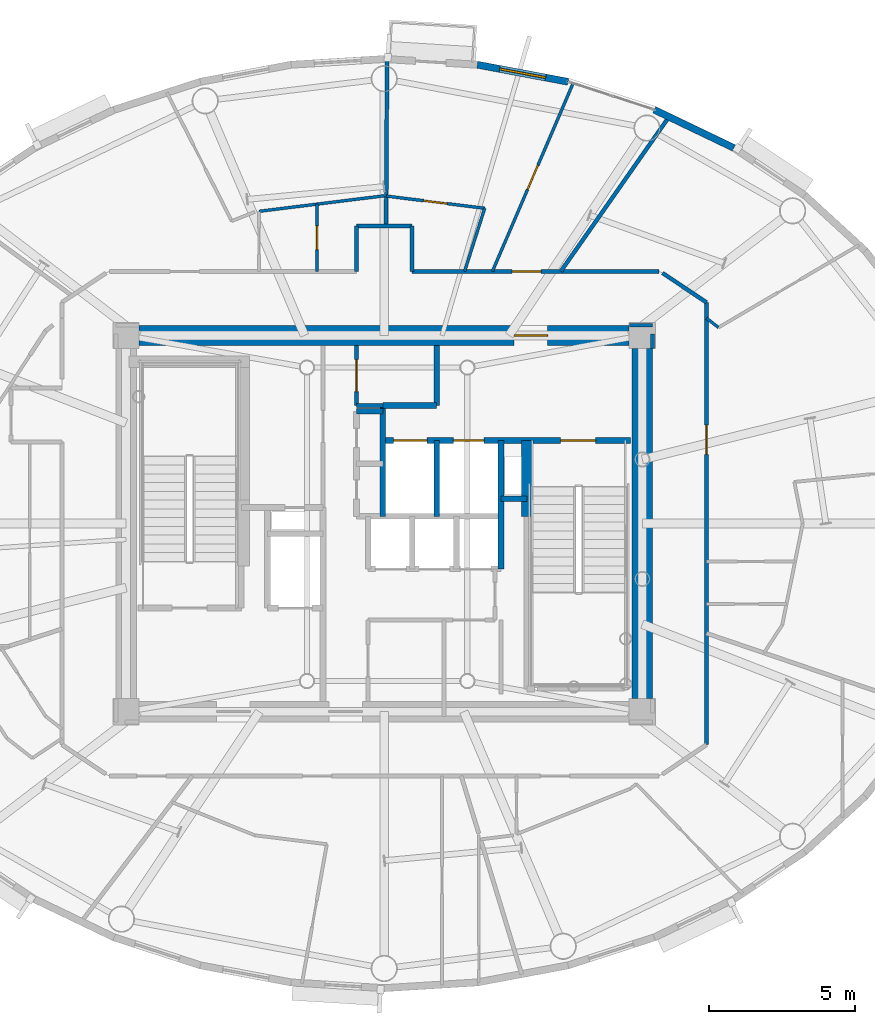
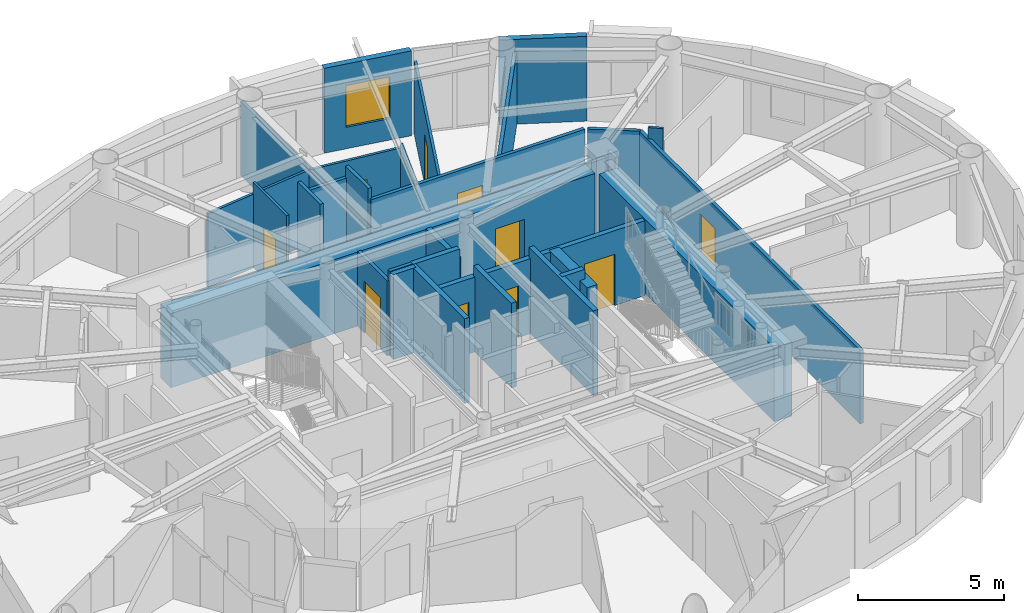
# One storey, part 9 of 17: 31 walls, 10 doors, 1 window, 11 openings.
"""IFC4 building model written with IfcOpenShell, lengths in metres."""

from ifc_helpers import new_model, si_unit, direction, frame, frame_2d, origin, origin_2d, place, context, subcontext, project, spatial, rectangle, extrude, source, transform, mapped, material, layer, layer_set, type_object, element, fill, save


model = new_model("IFC4")

# Units and contexts
model_context = context("Model", 3, precision=1e-05, world=origin(), true_north=direction((0.0, 1.0)))
body_context = subcontext(model_context, "Body", "Model", "MODEL_VIEW")
ifc_project = project(units=[si_unit("LENGTHUNIT", "METRE"), si_unit("AREAUNIT", "SQUARE_METRE"), si_unit("VOLUMEUNIT", "CUBIC_METRE"), si_unit("PLANEANGLEUNIT", "RADIAN"), si_unit("MASSUNIT", "GRAM", prefix="KILO")], contexts=[model_context])

# Site, building, storey
site_placement = place(None, origin())
site = spatial("IfcSite", under=ifc_project, at=site_placement, CompositionType="ELEMENT")
building_placement = place(site_placement, origin())
building = spatial("IfcBuilding", under=site, at=building_placement, Name="Linh Dai School and Residence Tower", CompositionType="ELEMENT")
storey_placement = place(building_placement, frame((0.0, 0.0, 331.60009765625)))
storey = spatial("IfcBuildingStorey", under=building, at=storey_placement, Name="L82", CompositionType="ELEMENT", Elevation=331.60009765625)

# Wall
ifc_material_1 = material(Name="Precast Concrete B45 (C35/45)", Category="concrete")
ifc_layer_1 = layer(ifc_material_1, 0.239990234375)
ifc_layer_set_1 = layer_set([ifc_layer_1], Name="Precast Concrete B45 (C35/45)")
wall_type_1 = type_object("IfcWallType", Name="EW-TC-240", PredefinedType="SOLIDWALL", material=ifc_layer_set_1)
wall_1_placement = place(storey_placement, frame((45.260498046875, 41.18896484375, 0.0), z_axis=(0.0, 0.0, 1.0), x_axis=(0.901557057889, -0.432660226241, 0.0)))
element("IfcWall", 1, at=wall_1_placement, inside=storey, type_object=wall_type_1, Name="L82 Terracotta Exterior Wall 07", PredefinedType="SOLIDWALL", context=body_context, shape_type="SweptSolid", body=[
    extrude(rectangle(XDim=3.025146484375, YDim=0.239990234375, at=frame_2d((1.5126953125, 0.0))), origin(), (0.0, 0.0, 1.0), 3.5498046875),
])

# Wall, opening, window
wall_2_placement = place(storey_placement, frame((39.19140625, 42.7333984375, 0.0), z_axis=(0.0, 0.0, 1.0), x_axis=(0.98276643264, -0.184851667226, 0.0)))
wall_2 = element("IfcWall", 2, at=wall_2_placement, inside=storey, type_object=wall_type_1, Name="L82 Terracotta Exterior Wall 09", PredefinedType="SOLIDWALL", context=body_context, shape_type="SweptSolid", body=[
    extrude(rectangle(XDim=3.167236328125, YDim=0.239990234375, at=frame_2d((1.58349609375, 0.0))), origin(), (0.0, 0.0, 1.0), 3.5498046875),
])
opening_1_placement = place(wall_2_placement, frame((0.783447265625, 0.0, 0.89990234375)))
opening_1 = element("IfcOpeningElement", 3, at=opening_1_placement, cuts=wall_2, Name="Opening W2", PredefinedType="OPENING", context=body_context, shape_type="SweptSolid", body=[
    extrude(rectangle(XDim=1.60009765625, YDim=1.75, at=origin_2d()), frame((0.800048828125, 0.1298828125, 0.875), z_axis=(0.0, -1.0, 0.0), x_axis=(1.0, 0.0, 0.0)), (0.0, 0.0, 1.0), 0.260009765625),
])
ifc_material_2 = material(Name="Double Low-E Insulated Glazing", Category="glass")
window_type = type_object("IfcWindowType", Name="WN-RES-1600x1750", PartitioningType="DOUBLE_PANEL_VERTICAL", PredefinedType="WINDOW", material=ifc_material_2)
shared_shape_1 = source(origin(), body_context, "Body", "SweptSolid", [
    extrude(rectangle(XDim=1.60009765625, YDim=1.75, at=origin_2d()), frame((0.800048828125, 0.030029296875, 0.875), z_axis=(0.0, -1.0, 0.0), x_axis=(1.0, 0.0, 0.0)), (0.0, 0.0, 1.0), 0.06005859375),
])
window_placement = place(opening_1_placement, origin())
window = element("IfcWindow", 4, at=window_placement, inside=storey, type_object=window_type, Name="L82 Exterior Window 09.1", OverallHeight=1.75, OverallWidth=1.60009765625, PartitioningType="DOUBLE_PANEL_VERTICAL", PredefinedType="WINDOW", context=body_context, shape_type="MappedRepresentation", body=[
    mapped(shared_shape_1, transform((0.0, 0.0, 0.0), x_axis=(1.0, 0.0, 0.0), y_axis=(0.0, 1.0, 0.0), z_axis=(0.0, 0.0, 1.0), scale=1.0)),
])
fill(opening_1, window)

# Wall, opening, door
ifc_material_3 = material(Name="Autoclaved Aerated Concrete Blockwork", Category="masonry")
ifc_layer_2 = layer(ifc_material_3, 0.135009765625)
ifc_layer_set_2 = layer_set([ifc_layer_2], Name="Autoclaved Aerated Concrete Blockwork")
wall_type_2 = type_object("IfcWallType", Name="IW-CORR-135-EI90", PredefinedType="PARTITIONING", material=ifc_layer_set_2)
wall_3_placement = place(storey_placement, frame((35.050048828125, 31.050048828125, 0.0), z_axis=(0.0, 0.0, 1.0), x_axis=(0.0, 1.0, 0.0)))
wall_3 = element("IfcWall", 5, at=wall_3_placement, inside=storey, type_object=wall_type_2, Name="L82 Interior Partition Wall 043", PredefinedType="PARTITIONING", context=body_context, shape_type="SweptSolid", body=[
    extrude(rectangle(XDim=2.050048828125, YDim=0.135009765625, at=frame_2d((1.02490234375, 0.0))), origin(), (0.0, 0.0, 1.0), 3.135009765625),
])
opening_2_placement = place(wall_3_placement, frame((0.47509765625, 0.0, 0.0)))
opening_2 = element("IfcOpeningElement", 6, at=opening_2_placement, cuts=wall_3, Name="Opening D07", PredefinedType="OPENING", context=body_context, shape_type="SweptSolid", body=[
    extrude(rectangle(XDim=1.10009765625, YDim=2.14990234375, at=origin_2d()), frame((0.550048828125, 0.07763671875, 1.074951171875), z_axis=(0.0, -1.0, 0.0), x_axis=(1.0, 0.0, 0.0)), (0.0, 0.0, 1.0), 0.155029296875),
])
ifc_material_4 = material(Name="Fire-Rated Louvred Steel Plant Door", Category="steel")
door_type_1 = type_object("IfcDoorType", Name="DR-PLT-1100x2150-FD60S", OperationType="NOTDEFINED", PredefinedType="DOOR", material=ifc_material_4)
shared_shape_2 = source(origin(), body_context, "Body", "SweptSolid", [
    extrude(rectangle(XDim=1.10009765625, YDim=2.14990234375, at=origin_2d()), frame((0.550048828125, 0.02490234375, 1.074951171875), z_axis=(0.0, -1.0, 0.0), x_axis=(1.0, 0.0, 0.0)), (0.0, 0.0, 1.0), 0.050048828125),
])
door_1_placement = place(opening_2_placement, origin())
door_1 = element("IfcDoor", 7, at=door_1_placement, inside=storey, type_object=door_type_1, Name="L82 North BMS Switchroom Door", OperationType="SINGLE_SWING_RIGHT", OverallHeight=2.14990234375, OverallWidth=1.10009765625, PredefinedType="DOOR", context=body_context, shape_type="MappedRepresentation", body=[
    mapped(shared_shape_2, transform((0.0, 0.0, 0.0), x_axis=(1.0, 0.0, 0.0), y_axis=(0.0, 1.0, 0.0), z_axis=(0.0, 0.0, 1.0), scale=1.0)),
])
fill(opening_2, door_1)

# Walls
wall_4_placement = place(storey_placement, frame((35.050048828125, 31.050048828125, 0.0), z_axis=(0.0, 0.0, 1.0), x_axis=(1.0, 0.0, 0.0)))
element("IfcWall", 8, at=wall_4_placement, inside=storey, type_object=wall_type_2, Name="L82 Interior Partition Wall 044", PredefinedType="PARTITIONING", context=body_context, shape_type="SweptSolid", body=[
    extrude(rectangle(XDim=0.89990234375, YDim=0.135009765625, at=frame_2d((0.449951171875, 0.0))), origin(), (0.0, 0.0, 1.0), 3.5498046875),
])
wall_5_placement = place(storey_placement, frame((35.050048828125, 35.64990234375, 0.0), z_axis=(0.0, 0.0, 1.0), x_axis=(0.0, 1.0, 0.0)))
element("IfcWall", 9, at=wall_5_placement, inside=storey, type_object=wall_type_2, Name="L82 Interior Partition Wall 045", PredefinedType="PARTITIONING", context=body_context, shape_type="SweptSolid", body=[
    extrude(rectangle(XDim=1.550048828125, YDim=0.135009765625, at=frame_2d((0.77490234375, 0.0))), origin(), (0.0, 0.0, 1.0), 3.5498046875),
])
wall_6_placement = place(storey_placement, frame((35.050048828125, 37.199951171875, 0.0), z_axis=(0.0, 0.0, 1.0), x_axis=(1.0, 0.0, 0.0)))
element("IfcWall", 10, at=wall_6_placement, inside=storey, type_object=wall_type_2, Name="L82 Interior Partition Wall 046", PredefinedType="PARTITIONING", context=body_context, shape_type="SweptSolid", body=[
    extrude(rectangle(XDim=1.89990234375, YDim=0.135009765625, at=frame_2d((0.949951171875, 0.0))), origin(), (0.0, 0.0, 1.0), 3.0849609375),
])
wall_7_placement = place(storey_placement, frame((36.063232421875, 37.199951171875, 0.0), z_axis=(0.0, 0.0, 1.0), x_axis=(0.006221912379, 0.999980643716, 0.0)))
element("IfcWall", 11, at=wall_7_placement, inside=storey, type_object=wall_type_2, Name="L82 Interior Partition Wall 054", PredefinedType="PARTITIONING", context=body_context, shape_type="SweptSolid", body=[
    extrude(rectangle(XDim=5.728759765625, YDim=0.135009765625, at=frame_2d((2.8642578125, 0.0))), origin(), (0.0, 0.0, 1.0), 3.0849609375),
])
wall_8_placement = place(storey_placement, frame((36.949951171875, 35.64990234375, 0.0), z_axis=(0.0, 0.0, 1.0), x_axis=(0.0, 1.0, 0.0)))
element("IfcWall", 12, at=wall_8_placement, inside=storey, type_object=wall_type_2, Name="L82 Interior Partition Wall 056", PredefinedType="PARTITIONING", context=body_context, shape_type="SweptSolid", body=[
    extrude(rectangle(XDim=1.550048828125, YDim=0.135009765625, at=frame_2d((0.77490234375, 0.0))), origin(), (0.0, 0.0, 1.0), 3.5498046875),
])

# Wall, opening, door
wall_9_placement = place(storey_placement, frame((36.949951171875, 35.64990234375, 0.0), z_axis=(0.0, 0.0, 1.0), x_axis=(1.0, 0.0, 0.0)))
wall_9 = element("IfcWall", 13, at=wall_9_placement, inside=storey, type_object=wall_type_2, Name="L82 Interior Partition Wall 057", PredefinedType="PARTITIONING", context=body_context, shape_type="SweptSolid", body=[
    extrude(rectangle(XDim=8.469970703125, YDim=0.135009765625, at=frame_2d((4.23486328125, 0.0))), origin(), (0.0, 0.0, 1.0), 3.0849609375),
])
opening_3_placement = place(wall_9_placement, frame((3.43408203125, 0.0, 0.0)))
opening_3 = element("IfcOpeningElement", 14, at=opening_3_placement, cuts=wall_9, Name="Opening D03", PredefinedType="OPENING", context=body_context, shape_type="SweptSolid", body=[
    extrude(rectangle(XDim=1.0, YDim=2.14990234375, at=origin_2d()), frame((0.5, 0.07763671875, 1.074951171875), z_axis=(0.0, -1.0, 0.0), x_axis=(1.0, 0.0, 0.0)), (0.0, 0.0, 1.0), 0.155029296875),
])
ifc_material_5 = material(Name="Fire-Rated Solid Timber Entrance Door", Category="wood")
door_type_2 = type_object("IfcDoorType", Name="DR-FLAT-1000x2150-FD60S", OperationType="NOTDEFINED", PredefinedType="DOOR", material=ifc_material_5)
shared_shape_3 = source(origin(), body_context, "Body", "SweptSolid", [
    extrude(rectangle(XDim=1.0, YDim=2.14990234375, at=origin_2d()), frame((0.5, 0.02490234375, 1.074951171875), z_axis=(0.0, -1.0, 0.0), x_axis=(1.0, 0.0, 0.0)), (0.0, 0.0, 1.0), 0.050048828125),
])
door_2_placement = place(opening_3_placement, origin())
door_2 = element("IfcDoor", 15, at=door_2_placement, inside=storey, type_object=door_type_2, Name="L82 U8201 Apartment Entrance Door", OperationType="SINGLE_SWING_RIGHT", OverallHeight=2.14990234375, OverallWidth=1.0, PredefinedType="DOOR", context=body_context, shape_type="MappedRepresentation", body=[
    mapped(shared_shape_3, transform((0.0, 0.0, 0.0), x_axis=(1.0, 0.0, 0.0), y_axis=(0.0, 1.0, 0.0), z_axis=(0.0, 0.0, 1.0), scale=1.0)),
])
fill(opening_3, door_2)

# Walls
wall_10_placement = place(storey_placement, frame((42.056884765625, 35.64990234375, 0.0), z_axis=(0.0, 0.0, 1.0), x_axis=(0.57355349769, 0.819168105634, 0.0)))
element("IfcWall", 16, at=wall_10_placement, inside=storey, type_object=wall_type_2, Name="L82 Interior Partition Wall 077", PredefinedType="PARTITIONING", context=body_context, shape_type="SweptSolid", body=[
    extrude(rectangle(XDim=6.470947265625, YDim=0.135009765625, at=frame_2d((3.2353515625, 0.0))), origin(), (0.0, 0.0, 1.0), 3.034912109375),
])
wall_11_placement = place(storey_placement, frame((45.541259765625, 35.591796875, 0.0), z_axis=(0.0, 0.0, 1.0), x_axis=(0.831180227396, -0.556003084151, 0.0)))
element("IfcWall", 17, at=wall_11_placement, inside=storey, type_object=wall_type_2, Name="L82 Interior Partition Wall 081", PredefinedType="PARTITIONING", context=body_context, shape_type="SweptSolid", body=[
    extrude(rectangle(XDim=1.815185546875, YDim=0.135009765625, at=frame_2d((0.90771484375, 0.0))), origin(), (0.0, 0.0, 1.0), 3.0849609375),
])

# Wall, opening, door
wall_12_placement = place(storey_placement, frame((47.050048828125, 19.41748046875, 0.0), z_axis=(0.0, 0.0, 1.0), x_axis=(0.0, 1.0, 0.0)))
wall_12 = element("IfcWall", 18, at=wall_12_placement, inside=storey, type_object=wall_type_2, Name="L82 Interior Partition Wall 082", PredefinedType="PARTITIONING", context=body_context, shape_type="SweptSolid", body=[
    extrude(rectangle(XDim=15.1650390625, YDim=0.135009765625, at=frame_2d((7.58251953125, 0.0))), origin(), (0.0, 0.0, 1.0), 3.0849609375),
])
opening_4_placement = place(wall_12_placement, frame((9.95703125, 0.0, 0.0)))
opening_4 = element("IfcOpeningElement", 19, at=opening_4_placement, cuts=wall_12, Name="Opening D03", PredefinedType="OPENING", context=body_context, shape_type="SweptSolid", body=[
    extrude(rectangle(XDim=1.0, YDim=2.14990234375, at=origin_2d()), frame((0.5, 0.07763671875, 1.074951171875), z_axis=(0.0, -1.0, 0.0), x_axis=(1.0, 0.0, 0.0)), (0.0, 0.0, 1.0), 0.155029296875),
])
door_3_placement = place(opening_4_placement, origin())
door_3 = element("IfcDoor", 20, at=door_3_placement, inside=storey, type_object=door_type_2, Name="L82 U8207 Apartment Entrance Door", OperationType="SINGLE_SWING_RIGHT", OverallHeight=2.14990234375, OverallWidth=1.0, PredefinedType="DOOR", context=body_context, shape_type="MappedRepresentation", body=[
    mapped(shared_shape_3, transform((0.0, 0.0, 0.0), x_axis=(1.0, 0.0, 0.0), y_axis=(0.0, 1.0, 0.0), z_axis=(0.0, 0.0, 1.0), scale=1.0)),
])
fill(opening_4, door_3)

# Walls
wall_13_placement = place(storey_placement, frame((45.199951171875, 33.800048828125, 0.0), z_axis=(0.0, 0.0, 1.0), x_axis=(-1.0, 0.0, 0.0)))
element("IfcWall", 21, at=wall_13_placement, inside=storey, type_object=wall_type_2, Name="L82 Interior Partition Wall 097", PredefinedType="PARTITIONING", context=body_context, shape_type="SweptSolid", body=[
    extrude(rectangle(XDim=0.7900390625, YDim=0.135009765625, at=frame_2d((0.39501953125, 0.0))), origin(), (0.0, 0.0, 1.0), 3.0849609375),
])
wall_14_placement = place(storey_placement, frame((45.199951171875, 33.010009765625, 0.0), z_axis=(0.0, 0.0, 1.0), x_axis=(0.0, 1.0, 0.0)))
element("IfcWall", 22, at=wall_14_placement, inside=storey, type_object=wall_type_2, Name="L82 Interior Partition Wall 104", PredefinedType="PARTITIONING", context=body_context, shape_type="SweptSolid", body=[
    extrude(rectangle(XDim=0.482421875, YDim=0.135009765625, at=frame_2d((0.2412109375, 0.0))), origin(), (0.0, 0.0, 1.0), 3.5498046875),
])
ifc_material_6 = material(Name="Concrete B45 (C35/45)", Category="concrete")
ifc_layer_3 = layer(ifc_material_6, 0.199951171875)
ifc_layer_set_3 = layer_set([ifc_layer_3], Name="Concrete B45 (C35/45)")
wall_type_3 = type_object("IfcWallType", Name="IW-SHAFT-200-EI120", PredefinedType="PARTITIONING", material=ifc_layer_set_3)
wall_15_placement = place(storey_placement, frame((35.050048828125, 30.85009765625, 0.0), z_axis=(0.0, 0.0, 1.0), x_axis=(1.0, 0.0, 0.0)))
element("IfcWall", 23, at=wall_15_placement, inside=storey, type_object=wall_type_3, Name="L82 Interior Partition Wall 042", PredefinedType="PARTITIONING", context=body_context, shape_type="SweptSolid", body=[
    extrude(rectangle(XDim=0.89990234375, YDim=0.199951171875, at=frame_2d((0.449951171875, 0.0))), origin(), (0.0, 0.0, 1.0), 3.5498046875),
])
wall_16_placement = place(storey_placement, frame((35.949951171875, 27.25, 0.0), z_axis=(0.0, 0.0, 1.0), x_axis=(0.0, 1.0, 0.0)))
element("IfcWall", 24, at=wall_16_placement, inside=storey, type_object=wall_type_3, Name="L82 Interior Partition Wall 051", PredefinedType="PARTITIONING", context=body_context, shape_type="SweptSolid", body=[
    extrude(rectangle(XDim=3.800048828125, YDim=0.199951171875, at=frame_2d((1.89990234375, 0.0))), origin(), (0.0, 0.0, 1.0), 3.5498046875),
])

# Wall, openings, doors
wall_17_placement = place(storey_placement, frame((35.949951171875, 29.85009765625, 0.0), z_axis=(0.0, 0.0, 1.0), x_axis=(1.0, 0.0, 0.0)))
wall_17 = element("IfcWall", 25, at=wall_17_placement, inside=storey, type_object=wall_type_3, Name="L82 Interior Partition Wall 052", PredefinedType="PARTITIONING", context=body_context, shape_type="SweptSolid", body=[
    extrude(rectangle(XDim=8.489990234375, YDim=0.199951171875, at=frame_2d((4.2451171875, 0.0))), origin(), (0.0, 0.0, 1.0), 3.135009765625),
])
opening_5_placement = place(wall_17_placement, frame((6.10009765625, 0.0, 0.0)))
opening_5 = element("IfcOpeningElement", 26, at=opening_5_placement, cuts=wall_17, Name="Opening D01", PredefinedType="OPENING", context=body_context, shape_type="SweptSolid", body=[
    extrude(rectangle(XDim=1.199951171875, YDim=2.14990234375, at=origin_2d()), frame((0.60009765625, 0.10986328125, 1.074951171875), z_axis=(0.0, -1.0, 0.0), x_axis=(1.0, 0.0, 0.0)), (0.0, 0.0, 1.0), 0.219970703125),
])
opening_6_placement = place(wall_17_placement, frame((0.3701171875, 0.0, 0.0)))
opening_6 = element("IfcOpeningElement", 27, at=opening_6_placement, cuts=wall_17, Name="Opening LD-FF1", PredefinedType="OPENING", context=body_context, shape_type="SweptSolid", body=[
    extrude(rectangle(XDim=1.14990234375, YDim=2.14990234375, at=origin_2d()), frame((0.574951171875, 0.10986328125, 1.074951171875), z_axis=(0.0, -1.0, 0.0), x_axis=(1.0, 0.0, 0.0)), (0.0, 0.0, 1.0), 0.219970703125),
])
opening_7_placement = place(wall_17_placement, frame((2.425048828125, 0.0, 0.0)))
opening_7 = element("IfcOpeningElement", 28, at=opening_7_placement, cuts=wall_17, Name="Opening LD-SV1", PredefinedType="OPENING", context=body_context, shape_type="SweptSolid", body=[
    extrude(rectangle(XDim=1.050048828125, YDim=2.14990234375, at=origin_2d()), frame((0.52490234375, 0.10986328125, 1.074951171875), z_axis=(0.0, -1.0, 0.0), x_axis=(1.0, 0.0, 0.0)), (0.0, 0.0, 1.0), 0.219970703125),
])
ifc_material_7 = material(Name="Fire-Rated Steel Door Leaf", Category="steel")
door_type_3 = type_object("IfcDoorType", Name="DR-STAIR-1200x2150-FD90S", OperationType="NOTDEFINED", PredefinedType="DOOR", material=ifc_material_7)
shared_shape_4 = source(origin(), body_context, "Body", "SweptSolid", [
    extrude(rectangle(XDim=1.199951171875, YDim=2.14990234375, at=origin_2d()), frame((0.60009765625, 0.02490234375, 1.074951171875), z_axis=(0.0, -1.0, 0.0), x_axis=(1.0, 0.0, 0.0)), (0.0, 0.0, 1.0), 0.050048828125),
])
door_4_placement = place(opening_5_placement, origin())
door_4 = element("IfcDoor", 29, at=door_4_placement, inside=storey, type_object=door_type_3, Name="L82 Core Smokeproof Exit Stair ST2 Door", OperationType="SINGLE_SWING_LEFT", OverallHeight=2.14990234375, OverallWidth=1.199951171875, PredefinedType="DOOR", context=body_context, shape_type="MappedRepresentation", body=[
    mapped(shared_shape_4, transform((0.0, 0.0, 0.0), x_axis=(1.0, 0.0, 0.0), y_axis=(0.0, 1.0, 0.0), z_axis=(0.0, 0.0, 1.0), scale=1.0)),
])
fill(opening_5, door_4)
ifc_material_8 = material(Name="Fire-Rated Stainless Steel Firefighting Lift Door", Category="steel")
door_type_4 = type_object("IfcDoorType", Name="DR-LD-FF-1150x2150-FD120", OperationType="DOUBLE_DOOR_SLIDING", PredefinedType="USERDEFINED", material=ifc_material_8)
shared_shape_5 = source(origin(), body_context, "Body", "SweptSolid", [
    extrude(rectangle(XDim=1.14990234375, YDim=2.14990234375, at=origin_2d()), frame((0.574951171875, 0.02490234375, 1.074951171875), z_axis=(0.0, -1.0, 0.0), x_axis=(1.0, 0.0, 0.0)), (0.0, 0.0, 1.0), 0.050048828125),
])
door_5_placement = place(opening_6_placement, origin())
door_5 = element("IfcDoor", 30, at=door_5_placement, inside=storey, type_object=door_type_4, Name="L82 Lift FF1 Sliding Landing Door", ObjectType="LANDING DOOR", OperationType="DOUBLE_DOOR_SLIDING", OverallHeight=2.14990234375, OverallWidth=1.14990234375, PredefinedType="USERDEFINED", context=body_context, shape_type="MappedRepresentation", body=[
    mapped(shared_shape_5, transform((0.0, 0.0, 0.0), x_axis=(1.0, 0.0, 0.0), y_axis=(0.0, 1.0, 0.0), z_axis=(0.0, 0.0, 1.0), scale=1.0)),
])
fill(opening_6, door_5)
ifc_material_9 = material(Name="Brushed Stainless Steel Lift Landing Door", Category="steel")
door_type_5 = type_object("IfcDoorType", Name="DR-LD-PASS-1050x2150", OperationType="DOUBLE_DOOR_SLIDING", PredefinedType="USERDEFINED", material=ifc_material_9)
shared_shape_6 = source(origin(), body_context, "Body", "SweptSolid", [
    extrude(rectangle(XDim=1.050048828125, YDim=2.14990234375, at=origin_2d()), frame((0.52490234375, 0.02490234375, 1.074951171875), z_axis=(0.0, -1.0, 0.0), x_axis=(1.0, 0.0, 0.0)), (0.0, 0.0, 1.0), 0.050048828125),
])
door_6_placement = place(opening_7_placement, origin())
door_6 = element("IfcDoor", 31, at=door_6_placement, inside=storey, type_object=door_type_5, Name="L82 Lift SV1 Sliding Landing Door", ObjectType="LANDING DOOR", OperationType="DOUBLE_DOOR_SLIDING", OverallHeight=2.14990234375, OverallWidth=1.050048828125, PredefinedType="USERDEFINED", context=body_context, shape_type="MappedRepresentation", body=[
    mapped(shared_shape_6, transform((0.0, 0.0, 0.0), x_axis=(1.0, 0.0, 0.0), y_axis=(0.0, 1.0, 0.0), z_axis=(0.0, 0.0, 1.0), scale=1.0)),
])
fill(opening_7, door_6)

# Walls
wall_18_placement = place(storey_placement, frame((35.9599609375, 31.050048828125, 0.0), z_axis=(0.0, 0.0, 1.0), x_axis=(1.0, 0.0, 0.0)))
element("IfcWall", 32, at=wall_18_placement, inside=storey, type_object=wall_type_3, Name="L82 Interior Partition Wall 053", PredefinedType="PARTITIONING", context=body_context, shape_type="SweptSolid", body=[
    extrude(rectangle(XDim=1.840087890625, YDim=0.199951171875, at=frame_2d((0.919921875, 0.0))), origin(), (0.0, 0.0, 1.0), 3.5498046875),
])
wall_19_placement = place(storey_placement, frame((37.800048828125, 27.25, 0.0), z_axis=(0.0, 0.0, 1.0), x_axis=(0.0, 1.0, 0.0)))
element("IfcWall", 33, at=wall_19_placement, inside=storey, type_object=wall_type_3, Name="L82 Interior Partition Wall 059", PredefinedType="PARTITIONING", context=body_context, shape_type="SweptSolid", body=[
    extrude(rectangle(XDim=2.60009765625, YDim=0.199951171875, at=frame_2d((1.300048828125, 0.0))), origin(), (0.0, 0.0, 1.0), 3.5498046875),
])
wall_20_placement = place(storey_placement, frame((37.800048828125, 31.050048828125, 0.0), z_axis=(0.0, 0.0, 1.0), x_axis=(0.0, 1.0, 0.0)))
element("IfcWall", 34, at=wall_20_placement, inside=storey, type_object=wall_type_3, Name="L82 Interior Partition Wall 060", PredefinedType="PARTITIONING", context=body_context, shape_type="SweptSolid", body=[
    extrude(rectangle(XDim=2.050048828125, YDim=0.199951171875, at=frame_2d((1.02490234375, 0.0))), origin(), (0.0, 0.0, 1.0), 3.135009765625),
])
wall_21_placement = place(storey_placement, frame((40.0, 25.449951171875, 0.0), z_axis=(0.0, 0.0, 1.0), x_axis=(0.0, 1.0, 0.0)))
element("IfcWall", 35, at=wall_21_placement, inside=storey, type_object=wall_type_3, Name="L82 Interior Partition Wall 071", PredefinedType="PARTITIONING", context=body_context, shape_type="SweptSolid", body=[
    extrude(rectangle(XDim=4.400146484375, YDim=0.199951171875, at=frame_2d((2.2001953125, 0.0))), origin(), (0.0, 0.0, 1.0), 3.5498046875),
])
wall_22_placement = place(storey_placement, frame((40.0, 27.85009765625, 0.0), z_axis=(0.0, 0.0, 1.0), x_axis=(1.0, 0.0, 0.0)))
element("IfcWall", 36, at=wall_22_placement, inside=storey, type_object=wall_type_3, Name="L82 Interior Partition Wall 072", PredefinedType="PARTITIONING", context=body_context, shape_type="SweptSolid", body=[
    extrude(rectangle(XDim=0.89990234375, YDim=0.199951171875, at=frame_2d((0.449951171875, 0.0))), origin(), (0.0, 0.0, 1.0), 3.5498046875),
])
ifc_material_10 = material(Name="Gypsum Plasterboard Acoustic Stud Partition", Category="masonry")
ifc_layer_4 = layer(ifc_material_10, 0.10009765625)
ifc_layer_set_4 = layer_set([ifc_layer_4], Name="Gypsum Plasterboard Acoustic Stud Partition")
wall_type_4 = type_object("IfcWallType", Name="IW-UNIT-100", PredefinedType="PARTITIONING", material=ifc_layer_set_4)
wall_23_placement = place(storey_placement, frame((31.704345703125, 37.70556640625, 0.0), z_axis=(0.0, 0.0, 1.0), x_axis=(0.992391131504, 0.123125310604, 0.0)))
element("IfcWall", 37, at=wall_23_placement, inside=storey, type_object=wall_type_4, Name="L82 Interior Partition Wall 031", PredefinedType="PARTITIONING", context=body_context, shape_type="SweptSolid", body=[
    extrude(rectangle(XDim=4.32861328125, YDim=0.10009765625, at=frame_2d((2.164306640625, 0.0))), origin(), (0.0, 0.0, 1.0), 3.0849609375),
])

# Wall, opening, door
wall_24_placement = place(storey_placement, frame((33.697265625, 35.64990234375, 0.0), z_axis=(0.0, 0.0, 1.0), x_axis=(0.0, 1.0, 0.0)))
wall_24 = element("IfcWall", 38, at=wall_24_placement, inside=storey, type_object=wall_type_4, Name="L82 Interior Partition Wall 036", PredefinedType="PARTITIONING", context=body_context, shape_type="SweptSolid", body=[
    extrude(rectangle(XDim=2.302978515625, YDim=0.10009765625, at=frame_2d((1.1513671875, 0.0))), origin(), (0.0, 0.0, 1.0), 3.5498046875),
])
opening_8_placement = place(wall_24_placement, frame((0.741455078125, 0.0, 0.0)))
opening_8 = element("IfcOpeningElement", 39, at=opening_8_placement, cuts=wall_24, Name="Opening D06", PredefinedType="OPENING", context=body_context, shape_type="SweptSolid", body=[
    extrude(rectangle(XDim=0.820068359375, YDim=2.10009765625, at=origin_2d()), frame((0.41015625, 0.06005859375, 1.050048828125), z_axis=(0.0, -1.0, 0.0), x_axis=(1.0, 0.0, 0.0)), (0.0, 0.0, 1.0), 0.1201171875),
])
ifc_material_11 = material(Name="Moisture-Resistant Timber Bathroom Door", Category="wood")
door_type_6 = type_object("IfcDoorType", Name="DR-WET-820x2100", OperationType="NOTDEFINED", PredefinedType="DOOR", material=ifc_material_11)
shared_shape_7 = source(origin(), body_context, "Body", "SweptSolid", [
    extrude(rectangle(XDim=0.820068359375, YDim=2.10009765625, at=origin_2d()), frame((0.41015625, 0.02490234375, 1.050048828125), z_axis=(0.0, -1.0, 0.0), x_axis=(1.0, 0.0, 0.0)), (0.0, 0.0, 1.0), 0.050048828125),
])
door_7_placement = place(opening_8_placement, origin())
door_7 = element("IfcDoor", 40, at=door_7_placement, inside=storey, type_object=door_type_6, Name="L82 Apartment U8202 Bathroom 1 Door", OperationType="SINGLE_SWING_RIGHT", OverallHeight=2.10009765625, OverallWidth=0.820068359375, PredefinedType="DOOR", context=body_context, shape_type="MappedRepresentation", body=[
    mapped(shared_shape_7, transform((0.0, 0.0, 0.0), x_axis=(1.0, 0.0, 0.0), y_axis=(0.0, 1.0, 0.0), z_axis=(0.0, 0.0, 1.0), scale=1.0)),
])
fill(opening_8, door_7)

wall_25_placement = place(storey_placement, frame((36.06982421875, 38.229736328125, 0.0), z_axis=(0.0, 0.0, 1.0), x_axis=(0.992395574795, -0.123089492354, 0.0)))
wall_25 = element("IfcWall", 41, at=wall_25_placement, inside=storey, type_object=wall_type_4, Name="L82 Interior Partition Wall 055", PredefinedType="PARTITIONING", context=body_context, shape_type="SweptSolid", body=[
    extrude(rectangle(XDim=3.401611328125, YDim=0.10009765625, at=frame_2d((1.70068359375, 0.0))), origin(), (0.0, 0.0, 1.0), 3.0849609375),
])
opening_9_placement = place(wall_25_placement, frame((1.291015625, 0.0, 0.0)))
opening_9 = element("IfcOpeningElement", 42, at=opening_9_placement, cuts=wall_25, Name="Opening D06", PredefinedType="OPENING", context=body_context, shape_type="SweptSolid", body=[
    extrude(rectangle(XDim=0.820068359375, YDim=2.10009765625, at=origin_2d()), frame((0.41015625, 0.06005859375, 1.050048828125), z_axis=(0.0, -1.0, 0.0), x_axis=(1.0, 0.0, 0.0)), (0.0, 0.0, 1.0), 0.1201171875),
])
door_8_placement = place(opening_9_placement, origin())
door_8 = element("IfcDoor", 43, at=door_8_placement, inside=storey, type_object=door_type_6, Name="L82 Apartment U8201 Bathroom Door", OperationType="SINGLE_SWING_RIGHT", OverallHeight=2.10009765625, OverallWidth=0.820068359375, PredefinedType="DOOR", context=body_context, shape_type="MappedRepresentation", body=[
    mapped(shared_shape_7, transform((0.0, 0.0, 0.0), x_axis=(1.0, 0.0, 0.0), y_axis=(0.0, 1.0, 0.0), z_axis=(0.0, 0.0, 1.0), scale=1.0)),
])
fill(opening_9, door_8)

# Wall
wall_26_placement = place(storey_placement, frame((38.7568359375, 35.64990234375, 0.0), z_axis=(0.0, 0.0, 1.0), x_axis=(0.303639013206, 0.952787148139, 0.0)))
element("IfcWall", 44, at=wall_26_placement, inside=storey, type_object=wall_type_4, Name="L82 Interior Partition Wall 065", PredefinedType="PARTITIONING", context=body_context, shape_type="SweptSolid", body=[
    extrude(rectangle(XDim=2.268310546875, YDim=0.10009765625, at=frame_2d((1.13427734375, 0.0))), origin(), (0.0, 0.0, 1.0), 3.23486328125),
])

# Wall, opening, door
wall_27_placement = place(storey_placement, frame((39.711181640625, 35.64990234375, 0.0), z_axis=(0.0, 0.0, 1.0), x_axis=(0.39425107449, 0.919002769454, 0.0)))
wall_27 = element("IfcWall", 45, at=wall_27_placement, inside=storey, type_object=wall_type_4, Name="L82 Interior Partition Wall 069", PredefinedType="PARTITIONING", context=body_context, shape_type="SweptSolid", body=[
    extrude(rectangle(XDim=7.015380859375, YDim=0.10009765625, at=frame_2d((3.5078125, 0.0))), origin(), (0.0, 0.0, 1.0), 3.034912109375),
])
opening_10_placement = place(wall_27_placement, frame((3.0576171875, 0.0, 0.0)))
opening_10 = element("IfcOpeningElement", 46, at=opening_10_placement, cuts=wall_27, Name="Opening D05", PredefinedType="OPENING", context=body_context, shape_type="SweptSolid", body=[
    extrude(rectangle(XDim=0.89990234375, YDim=2.10009765625, at=origin_2d()), frame((0.449951171875, 0.06005859375, 1.050048828125), z_axis=(0.0, -1.0, 0.0), x_axis=(1.0, 0.0, 0.0)), (0.0, 0.0, 1.0), 0.1201171875),
])
ifc_material_12 = material(Name="Engineered Timber Internal Door", Category="wood")
door_type_7 = type_object("IfcDoorType", Name="DR-INT-900x2100", OperationType="NOTDEFINED", PredefinedType="DOOR", material=ifc_material_12)
shared_shape_8 = source(origin(), body_context, "Body", "SweptSolid", [
    extrude(rectangle(XDim=0.89990234375, YDim=2.10009765625, at=origin_2d()), frame((0.449951171875, 0.02490234375, 1.050048828125), z_axis=(0.0, -1.0, 0.0), x_axis=(1.0, 0.0, 0.0)), (0.0, 0.0, 1.0), 0.050048828125),
])
door_9_placement = place(opening_10_placement, origin())
door_9 = element("IfcDoor", 47, at=door_9_placement, inside=storey, type_object=door_type_7, Name="L82 Apartment U8201 Skyhome Studio Door", OperationType="SINGLE_SWING_LEFT", OverallHeight=2.10009765625, OverallWidth=0.89990234375, PredefinedType="DOOR", context=body_context, shape_type="MappedRepresentation", body=[
    mapped(shared_shape_8, transform((0.0, 0.0, 0.0), x_axis=(1.0, 0.0, 0.0), y_axis=(0.0, 1.0, 0.0), z_axis=(0.0, 0.0, 1.0), scale=1.0)),
])
fill(opening_10, door_9)

# Walls
wall_28_placement = place(storey_placement, frame((47.050048828125, 34.0439453125, 0.0), z_axis=(0.0, 0.0, 1.0), x_axis=(0.787277370311, -0.616599012483, 0.0)))
element("IfcWall", 48, at=wall_28_placement, inside=storey, type_object=wall_type_4, Name="L82 Interior Partition Wall 086", PredefinedType="PARTITIONING", context=body_context, shape_type="SweptSolid", body=[
    extrude(rectangle(XDim=0.520751953125, YDim=0.10009765625, at=frame_2d((0.26025390625, 0.0))), origin(), (0.0, 0.0, 1.0), 3.5498046875),
])
ifc_layer_5 = layer(ifc_material_6, 0.39990234375)
ifc_layer_set_5 = layer_set([ifc_layer_5], Name="Concrete B45 (C35/45)")
wall_type_5 = type_object("IfcWallType", Name="WL-CORE400", PredefinedType="SHEAR", material=ifc_layer_set_5)
wall_29_placement = place(storey_placement, frame((40.89990234375, 27.25, 0.0), z_axis=(0.0, 0.0, 1.0), x_axis=(0.0, 1.0, 0.0)))
element("IfcWall", 49, at=wall_29_placement, inside=storey, type_object=wall_type_5, Name="L82 Internal Core Shear Wall IE", PredefinedType="SHEAR", context=body_context, shape_type="SweptSolid", body=[
    extrude(rectangle(XDim=2.60009765625, YDim=0.39990234375, at=frame_2d((1.300048828125, 0.0))), origin(), (0.0, 0.0, 1.0), 3.14990234375),
])

# Wall, opening, door
ifc_layer_6 = layer(ifc_material_6, 0.699951171875)
ifc_layer_set_6 = layer_set([ifc_layer_6], Name="Concrete B45 (C35/45)")
wall_type_6 = type_object("IfcWallType", Name="WL-CORE700", PredefinedType="SHEAR", material=ifc_layer_set_6)
wall_30_placement = place(storey_placement, frame((27.60009765625, 33.449951171875, 0.0), z_axis=(0.0, 0.0, 1.0), x_axis=(1.0, 0.0, 0.0)))
wall_30 = element("IfcWall", 50, at=wall_30_placement, inside=storey, type_object=wall_type_6, Name="L82 Central Core Shear Wall N", PredefinedType="SHEAR", context=body_context, shape_type="SweptSolid", body=[
    extrude(rectangle(XDim=16.7998046875, YDim=0.699951171875, at=frame_2d((8.39990234375, 0.0))), origin(), (0.0, 0.0, 1.0), 3.099853515625),
])
opening_11_placement = place(wall_30_placement, frame((12.85009765625, 0.0, 0.0)))
opening_11 = element("IfcOpeningElement", 51, at=opening_11_placement, cuts=wall_30, Name="Opening D02", PredefinedType="OPENING", context=body_context, shape_type="SweptSolid", body=[
    extrude(rectangle(XDim=1.14990234375, YDim=2.14990234375, at=origin_2d()), frame((0.574951171875, 0.35986328125, 1.074951171875), z_axis=(0.0, -1.0, 0.0), x_axis=(1.0, 0.0, 0.0)), (0.0, 0.0, 1.0), 0.719970703125),
])
ifc_material_13 = material(Name="Fire-Rated Glazed Steel Lobby Door", Category="steel")
door_type_8 = type_object("IfcDoorType", Name="DR-LOBBY-1150x2150-FD90S", OperationType="NOTDEFINED", PredefinedType="DOOR", material=ifc_material_13)
shared_shape_9 = source(origin(), body_context, "Body", "SweptSolid", [
    extrude(rectangle(XDim=1.14990234375, YDim=2.14990234375, at=origin_2d()), frame((0.574951171875, 0.02490234375, 1.074951171875), z_axis=(0.0, -1.0, 0.0), x_axis=(1.0, 0.0, 0.0)), (0.0, 0.0, 1.0), 0.050048828125),
])
door_10_placement = place(opening_11_placement, origin())
door_10 = element("IfcDoor", 52, at=door_10_placement, inside=storey, type_object=door_type_8, Name="L82 Firefighting Lobby Door", OperationType="SINGLE_SWING_RIGHT", OverallHeight=2.14990234375, OverallWidth=1.14990234375, PredefinedType="DOOR", context=body_context, shape_type="MappedRepresentation", body=[
    mapped(shared_shape_9, transform((0.0, 0.0, 0.0), x_axis=(1.0, 0.0, 0.0), y_axis=(0.0, 1.0, 0.0), z_axis=(0.0, 0.0, 1.0), scale=1.0)),
])
fill(opening_11, door_10)

# Wall
wall_31_placement = place(storey_placement, frame((44.85009765625, 33.0, 0.0), z_axis=(0.0, 0.0, 1.0), x_axis=(0.0, -1.0, 0.0)))
element("IfcWall", 53, at=wall_31_placement, inside=storey, type_object=wall_type_6, Name="L82 Central Core Shear Wall E", PredefinedType="SHEAR", context=body_context, shape_type="SweptSolid", body=[
    extrude(rectangle(XDim=12.0, YDim=0.699951171875, at=frame_2d((6.0, 0.0))), origin(), (0.0, 0.0, 1.0), 3.099853515625),
])

save(model, "model.ifc")
